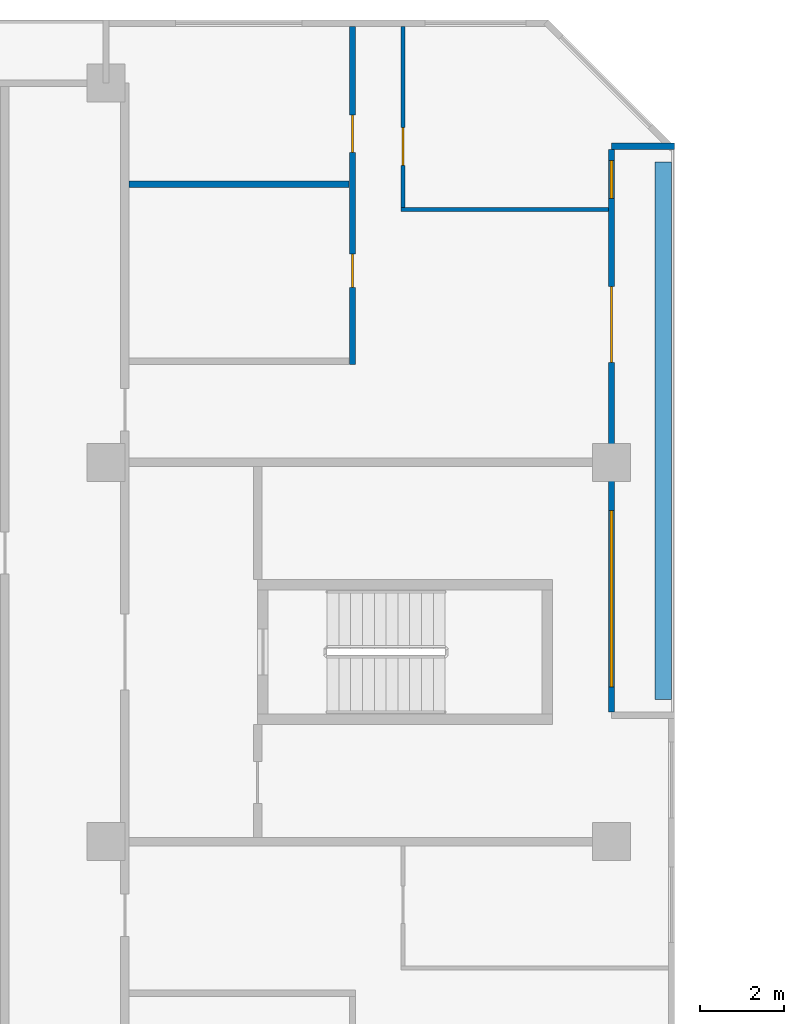
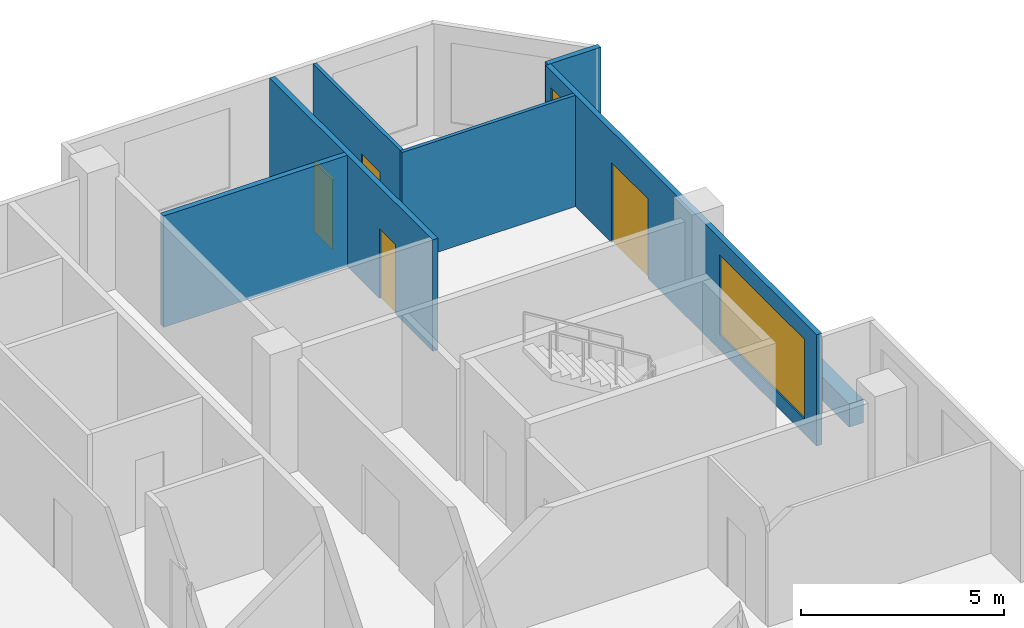
# One storey, part 11 of 15: 7 walls, 4 doors, 2 windows, 6 openings.
"""IFC4 building model written with IfcOpenShell, lengths in metres."""

from ifc_helpers import new_model, si_unit, direction, frame, frame_2d, origin, place, context, subcontext, project, spatial, rectangle, extrude, material, layer, layer_set, type_object, element, fill, save


model = new_model("IFC4")

# Units and contexts
model_context = context("Model", 3, precision=1e-05, world=origin(), true_north=direction((0.0, 1.0)))
body_context = subcontext(model_context, "Body", "Model", "MODEL_VIEW")
ifc_project = project(units=[si_unit("LENGTHUNIT", "METRE"), si_unit("AREAUNIT", "SQUARE_METRE"), si_unit("VOLUMEUNIT", "CUBIC_METRE"), si_unit("PLANEANGLEUNIT", "RADIAN"), si_unit("MASSUNIT", "GRAM", prefix="KILO")], contexts=[model_context])

# Site, building, storey
site_placement = place(None, origin())
site = spatial("IfcSite", under=ifc_project, at=site_placement, CompositionType="ELEMENT")
building_placement = place(site_placement, origin())
building = spatial("IfcBuilding", under=site, at=building_placement, Name="Chenar Terraces", CompositionType="ELEMENT")
storey_placement = place(building_placement, frame((0.0, 0.0, 176.14990234375)))
storey = spatial("IfcBuildingStorey", under=building, at=storey_placement, Name="L40", CompositionType="ELEMENT", Elevation=176.14990234375)

# Wall, openings, windows, door
ifc_material_1 = material(Name="Aluminium framed glazing", Category="aluminium")
ifc_layer_1 = layer(ifc_material_1, 0.14990234375)
ifc_layer_set_1 = layer_set([ifc_layer_1], Name="Aluminium framed glazing")
wall_type_1 = type_object("IfcWallType", Name="Glazed loggia back wall 150", PredefinedType="SOLIDWALL", material=ifc_layer_set_1)
wall_1_placement = place(storey_placement, frame((24.0, 48.074951171875, 0.0), z_axis=(0.0, 0.0, 1.0), x_axis=(0.0, 1.0, 0.0)))
wall_1 = element("IfcWall", 1, at=wall_1_placement, inside=storey, type_object=wall_type_1, Name="Glazed loggia back wall", PredefinedType="SOLIDWALL", context=body_context, shape_type="SweptSolid", body=[
    extrude(rectangle(XDim=13.35009765625, YDim=0.14990234375, at=frame_2d((6.675048828125, 0.0))), origin(), (0.0, 0.0, 1.0), 3.35009765625),
])
opening_1_placement = place(wall_1_placement, frame((0.58740234375, 0.0, 0.449951171875)))
opening_1 = element("IfcOpeningElement", 2, at=opening_1_placement, cuts=wall_1, Name="Opening W420x240", PredefinedType="OPENING", context=body_context, shape_type="SweptSolid", body=[
    extrude(rectangle(XDim=4.199951171875, YDim=2.39990234375, at=frame_2d((2.10009765625, 1.199951171875))), frame((0.0, 0.0849609375, 0.0), z_axis=(0.0, -1.0, 0.0), x_axis=(1.0, 0.0, 0.0)), (0.0, 0.0, 1.0), 0.169921875),
])
opening_2_placement = place(wall_1_placement, frame((8.300048828125, 0.0, 0.0)))
opening_2 = element("IfcOpeningElement", 3, at=opening_2_placement, cuts=wall_1, Name="Opening DL40-G2", PredefinedType="OPENING", context=body_context, shape_type="SweptSolid", body=[
    extrude(rectangle(XDim=1.800048828125, YDim=2.39990234375, at=frame_2d((0.89990234375, 1.199951171875))), frame((0.0, 0.0849609375, 0.0), z_axis=(0.0, -1.0, 0.0), x_axis=(1.0, 0.0, 0.0)), (0.0, 0.0, 1.0), 0.169921875),
])
opening_3_placement = place(wall_1_placement, frame((12.1875, 0.0, 0.449951171875)))
opening_3 = element("IfcOpeningElement", 4, at=opening_3_placement, cuts=wall_1, Name="Opening W90x240", PredefinedType="OPENING", context=body_context, shape_type="SweptSolid", body=[
    extrude(rectangle(XDim=0.89990234375, YDim=2.39990234375, at=frame_2d((0.449951171875, 1.199951171875))), frame((0.0, 0.0849609375, 0.0), z_axis=(0.0, -1.0, 0.0), x_axis=(1.0, 0.0, 0.0)), (0.0, 0.0, 1.0), 0.169921875),
])
ifc_material_2 = material(Name="Low emissivity double glazing, aluminium frame", Category="aluminium")
window_type_1 = type_object("IfcWindowType", Name="Fixed light 4200 x 2400", PartitioningType="SINGLE_PANEL", PredefinedType="WINDOW", material=ifc_material_2)
window_1_placement = place(opening_1_placement, origin())
window_1 = element("IfcWindow", 5, at=window_1_placement, inside=storey, type_object=window_type_1, Name="Window", OverallHeight=2.39990234375, OverallWidth=4.199951171875, PartitioningType="SINGLE_PANEL", PredefinedType="WINDOW", context=body_context, shape_type="SweptSolid", body=[
    extrude(rectangle(XDim=4.199951171875, YDim=2.39990234375, at=frame_2d((2.10009765625, 1.199951171875))), frame((0.0, 0.030029296875, 0.0), z_axis=(0.0, -1.0, 0.0), x_axis=(1.0, 0.0, 0.0)), (0.0, 0.0, 1.0), 0.06005859375),
])
fill(opening_1, window_1)
ifc_material_3 = material(Name="Low emissivity double glazing, aluminium frame", Category="aluminium")
window_type_2 = type_object("IfcWindowType", Name="Fixed light 900 x 2400", PartitioningType="SINGLE_PANEL", PredefinedType="WINDOW", material=ifc_material_3)
window_2_placement = place(opening_3_placement, origin())
window_2 = element("IfcWindow", 6, at=window_2_placement, inside=storey, type_object=window_type_2, Name="Window", OverallHeight=2.39990234375, OverallWidth=0.89990234375, PartitioningType="SINGLE_PANEL", PredefinedType="WINDOW", context=body_context, shape_type="SweptSolid", body=[
    extrude(rectangle(XDim=0.89990234375, YDim=2.39990234375, at=frame_2d((0.449951171875, 1.199951171875))), frame((0.0, 0.030029296875, 0.0), z_axis=(0.0, -1.0, 0.0), x_axis=(1.0, 0.0, 0.0)), (0.0, 0.0, 1.0), 0.06005859375),
])
fill(opening_3, window_2)
ifc_material_4 = material(Name="Low emissivity double glazing, aluminium frame", Category="aluminium")
door_type_1 = type_object("IfcDoorType", Name="Loggia glazed double door 1800 x 2400", OperationType="DOUBLE_DOOR_SINGLE_SWING", PredefinedType="DOOR", material=ifc_material_4)
door_1_placement = place(opening_2_placement, frame((1.800048828125, 0.0, 0.0), z_axis=(0.0, 0.0, 1.0), x_axis=(-1.0, 0.0, 0.0)))
door_1 = element("IfcDoor", 7, at=door_1_placement, inside=storey, type_object=door_type_1, Name="Loggia glazed door", OperationType="DOUBLE_DOOR_SINGLE_SWING", OverallHeight=2.39990234375, OverallWidth=1.800048828125, PredefinedType="DOOR", context=body_context, shape_type="SweptSolid", body=[
    extrude(rectangle(XDim=1.800048828125, YDim=2.39990234375, at=frame_2d((0.89990234375, 1.199951171875))), frame((0.0, 0.02490234375, 0.0), z_axis=(0.0, -1.0, 0.0), x_axis=(1.0, 0.0, 0.0)), (0.0, 0.0, 1.0), 0.050048828125),
])
fill(opening_2, door_1)

# Wall
ifc_material_5 = material(Name="Gypsum board on steel studs", Category="steel")
ifc_layer_2 = layer(ifc_material_5, 0.10009765625)
ifc_layer_set_2 = layer_set([ifc_layer_2], Name="Gypsum board on steel studs")
wall_type_2 = type_object("IfcWallType", Name="Gypsum partition 100", PredefinedType="PARTITIONING", material=ifc_layer_set_2)
wall_2_placement = place(storey_placement, frame((19.0, 60.0, 0.0), z_axis=(0.0, 0.0, 1.0), x_axis=(1.0, 0.0, 0.0)))
element("IfcWall", 8, at=wall_2_placement, inside=storey, type_object=wall_type_2, Name="Partition L40-053", PredefinedType="PARTITIONING", context=body_context, shape_type="SweptSolid", body=[
    extrude(rectangle(XDim=4.926025390625, YDim=0.10009765625, at=frame_2d((2.462890625, 0.0))), origin(), (0.0, 0.0, 1.0), 3.35009765625),
])

# Wall, opening, door
wall_3_placement = place(storey_placement, frame((19.050048828125, 60.050048828125, 0.0), z_axis=(0.0, 0.0, 1.0), x_axis=(0.0, 1.0, 0.0)))
wall_3 = element("IfcWall", 9, at=wall_3_placement, inside=storey, type_object=wall_type_2, Name="Partition L40-055", PredefinedType="PARTITIONING", context=body_context, shape_type="SweptSolid", body=[
    extrude(rectangle(XDim=4.301025390625, YDim=0.10009765625, at=frame_2d((2.150390625, 0.0))), origin(), (0.0, 0.0, 1.0), 3.35009765625),
])
opening_4_placement = place(wall_3_placement, frame((1.0, 0.0, 0.0)))
opening_4 = element("IfcOpeningElement", 10, at=opening_4_placement, cuts=wall_3, Name="Opening DL40-20", PredefinedType="OPENING", context=body_context, shape_type="SweptSolid", body=[
    extrude(rectangle(XDim=0.89990234375, YDim=2.10009765625, at=frame_2d((0.449951171875, 1.050048828125))), frame((0.0, 0.06005859375, 0.0), z_axis=(0.0, -1.0, 0.0), x_axis=(1.0, 0.0, 0.0)), (0.0, 0.0, 1.0), 0.1201171875),
])
ifc_material_6 = material(Name="Veneered timber door leaf", Category="wood")
door_type_2 = type_object("IfcDoorType", Name="Door 900 x 2100", OperationType="SINGLE_SWING_LEFT", PredefinedType="DOOR", material=ifc_material_6)
door_2_placement = place(opening_4_placement, frame((0.89990234375, 0.0, 0.0), z_axis=(0.0, 0.0, 1.0), x_axis=(-1.0, 0.0, 0.0)))
door_2 = element("IfcDoor", 11, at=door_2_placement, inside=storey, type_object=door_type_2, Name="Door DL40-20", OperationType="SINGLE_SWING_RIGHT", OverallHeight=2.10009765625, OverallWidth=0.89990234375, PredefinedType="DOOR", context=body_context, shape_type="SweptSolid", body=[
    extrude(rectangle(XDim=0.89990234375, YDim=2.10009765625, at=frame_2d((0.449951171875, 1.050048828125))), frame((0.0, 0.02490234375, 0.0), z_axis=(0.0, -1.0, 0.0), x_axis=(1.0, 0.0, 0.0)), (0.0, 0.0, 1.0), 0.050048828125),
])
fill(opening_4, door_2)

# Walls
ifc_material_7 = material(Name="Terracotta cladding on insulated backing", Category="masonry")
ifc_layer_3 = layer(ifc_material_7, 0.14990234375)
ifc_layer_set_3 = layer_set([ifc_layer_3], Name="Terracotta cladding on insulated backing")
wall_type_3 = type_object("IfcWallType", Name="Loggia return wall 150", PredefinedType="SOLIDWALL", material=ifc_layer_set_3)
wall_4_placement = place(storey_placement, frame((25.5, 61.5, 0.0), z_axis=(0.0, 0.0, 1.0), x_axis=(-1.0, 0.0, 0.0)))
element("IfcWall", 12, at=wall_4_placement, inside=storey, type_object=wall_type_3, Name="Loggia return wall", PredefinedType="SOLIDWALL", context=body_context, shape_type="SweptSolid", body=[
    extrude(rectangle(XDim=1.5, YDim=0.14990234375, at=frame_2d((0.75, 0.0))), origin(), (0.0, 0.0, 1.0), 3.35009765625),
])
ifc_material_8 = material(Name="GRP planter trough")
ifc_layer_4 = layer(ifc_material_8, 0.39990234375)
ifc_layer_set_4 = layer_set([ifc_layer_4], Name="GRP planter trough")
wall_type_4 = type_object("IfcWallType", Name="Vertical greenery planter 400", PredefinedType="SOLIDWALL", material=ifc_layer_set_4)
wall_5_placement = place(storey_placement, frame((25.22900390625, 48.375, 0.0), z_axis=(0.0, 0.0, 1.0), x_axis=(0.0, 1.0, 0.0)))
element("IfcWall", 13, at=wall_5_placement, inside=storey, type_object=wall_type_4, Name="Vertical greenery planter", PredefinedType="SOLIDWALL", context=body_context, shape_type="SweptSolid", body=[
    extrude(rectangle(XDim=12.75, YDim=0.39990234375, at=frame_2d((6.375, 0.0))), origin(), (0.0, 0.0, 1.0), 0.7001953125),
])
ifc_material_9 = material(Name="Moisture-resistant gypsum board on steel studs", Category="steel")
ifc_layer_5 = layer(ifc_material_9, 0.14990234375)
ifc_layer_set_5 = layer_set([ifc_layer_5], Name="Moisture-resistant gypsum board on steel studs")
wall_type_5 = type_object("IfcWallType", Name="Wet-room partition 150", PredefinedType="PARTITIONING", material=ifc_layer_set_5)
wall_6_placement = place(storey_placement, frame((12.550048828125, 60.60009765625, 0.0), z_axis=(0.0, 0.0, 1.0), x_axis=(1.0, 0.0, 0.0)))
element("IfcWall", 14, at=wall_6_placement, inside=storey, type_object=wall_type_5, Name="Partition L40-044", PredefinedType="PARTITIONING", context=body_context, shape_type="SweptSolid", body=[
    extrude(rectangle(XDim=5.224853515625, YDim=0.14990234375, at=frame_2d((2.6123046875, 0.0))), origin(), (0.0, 0.0, 1.0), 3.35009765625),
])

# Wall, openings, doors
wall_7_placement = place(storey_placement, frame((17.85009765625, 56.324951171875, 0.0), z_axis=(0.0, 0.0, 1.0), x_axis=(0.0, 1.0, 0.0)))
wall_7 = element("IfcWall", 15, at=wall_7_placement, inside=storey, type_object=wall_type_5, Name="Partition L40-049", PredefinedType="PARTITIONING", context=body_context, shape_type="SweptSolid", body=[
    extrude(rectangle(XDim=8.025146484375, YDim=0.14990234375, at=frame_2d((4.0126953125, 0.0))), origin(), (0.0, 0.0, 1.0), 3.35009765625),
])
opening_5_placement = place(wall_7_placement, frame((1.824951171875, 0.0, 0.0)))
opening_5 = element("IfcOpeningElement", 16, at=opening_5_placement, cuts=wall_7, Name="Opening DL40-19", PredefinedType="OPENING", context=body_context, shape_type="SweptSolid", body=[
    extrude(rectangle(XDim=0.800048828125, YDim=2.10009765625, at=frame_2d((0.39990234375, 1.050048828125))), frame((0.0, 0.0849609375, 0.0), z_axis=(0.0, -1.0, 0.0), x_axis=(1.0, 0.0, 0.0)), (0.0, 0.0, 1.0), 0.169921875),
])
opening_6_placement = place(wall_7_placement, frame((5.02490234375, 0.0, 0.0)))
opening_6 = element("IfcOpeningElement", 17, at=opening_6_placement, cuts=wall_7, Name="Opening DL40-21", PredefinedType="OPENING", context=body_context, shape_type="SweptSolid", body=[
    extrude(rectangle(XDim=0.89990234375, YDim=2.10009765625, at=frame_2d((0.449951171875, 1.050048828125))), frame((0.0, 0.0849609375, 0.0), z_axis=(0.0, -1.0, 0.0), x_axis=(1.0, 0.0, 0.0)), (0.0, 0.0, 1.0), 0.169921875),
])
ifc_material_10 = material(Name="Veneered timber door leaf", Category="wood")
door_type_3 = type_object("IfcDoorType", Name="Door 800 x 2100", OperationType="SINGLE_SWING_LEFT", PredefinedType="DOOR", material=ifc_material_10)
door_3_placement = place(opening_5_placement, origin())
door_3 = element("IfcDoor", 18, at=door_3_placement, inside=storey, type_object=door_type_3, Name="Door DL40-19", OperationType="SINGLE_SWING_RIGHT", OverallHeight=2.10009765625, OverallWidth=0.800048828125, PredefinedType="DOOR", context=body_context, shape_type="SweptSolid", body=[
    extrude(rectangle(XDim=0.800048828125, YDim=2.10009765625, at=frame_2d((0.39990234375, 1.050048828125))), frame((0.0, 0.02490234375, 0.0), z_axis=(0.0, -1.0, 0.0), x_axis=(1.0, 0.0, 0.0)), (0.0, 0.0, 1.0), 0.050048828125),
])
fill(opening_5, door_3)
door_4_placement = place(opening_6_placement, origin())
door_4 = element("IfcDoor", 19, at=door_4_placement, inside=storey, type_object=door_type_2, Name="Door DL40-21", OperationType="SINGLE_SWING_LEFT", OverallHeight=2.10009765625, OverallWidth=0.89990234375, PredefinedType="DOOR", context=body_context, shape_type="SweptSolid", body=[
    extrude(rectangle(XDim=0.89990234375, YDim=2.10009765625, at=frame_2d((0.449951171875, 1.050048828125))), frame((0.0, 0.02490234375, 0.0), z_axis=(0.0, -1.0, 0.0), x_axis=(1.0, 0.0, 0.0)), (0.0, 0.0, 1.0), 0.050048828125),
])
fill(opening_6, door_4)

save(model, "model.ifc")
